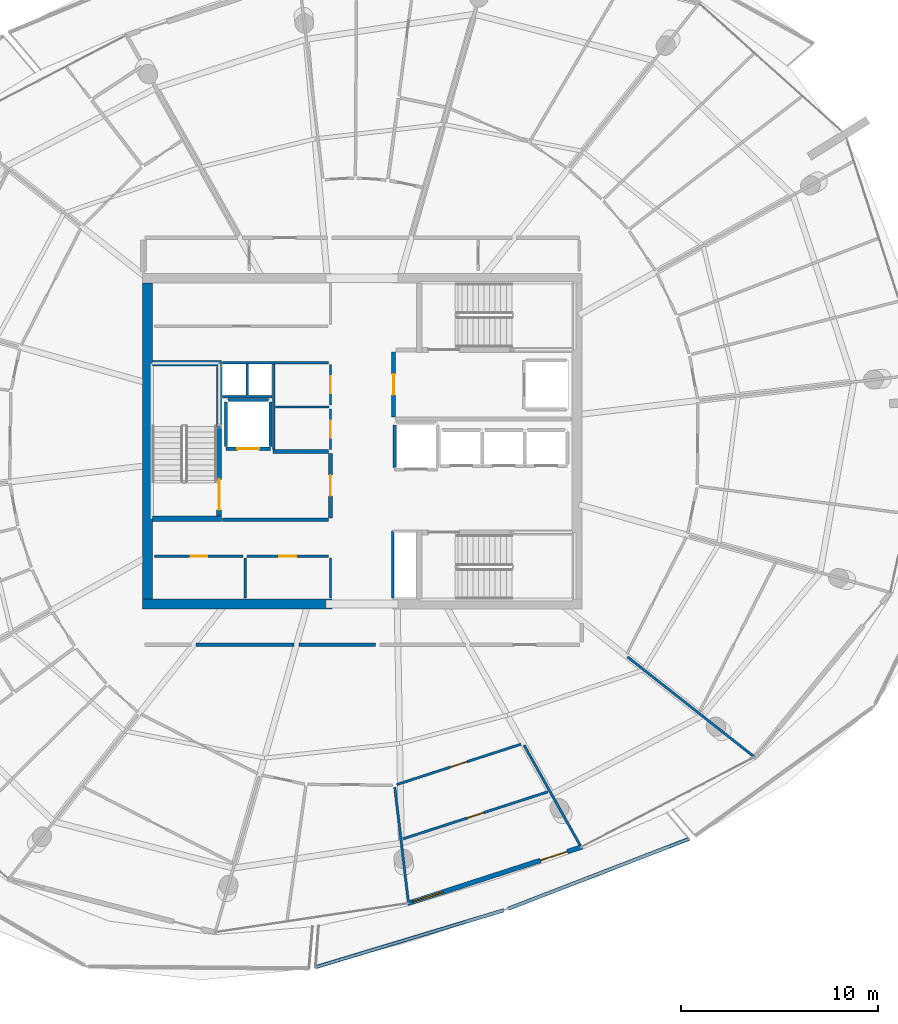
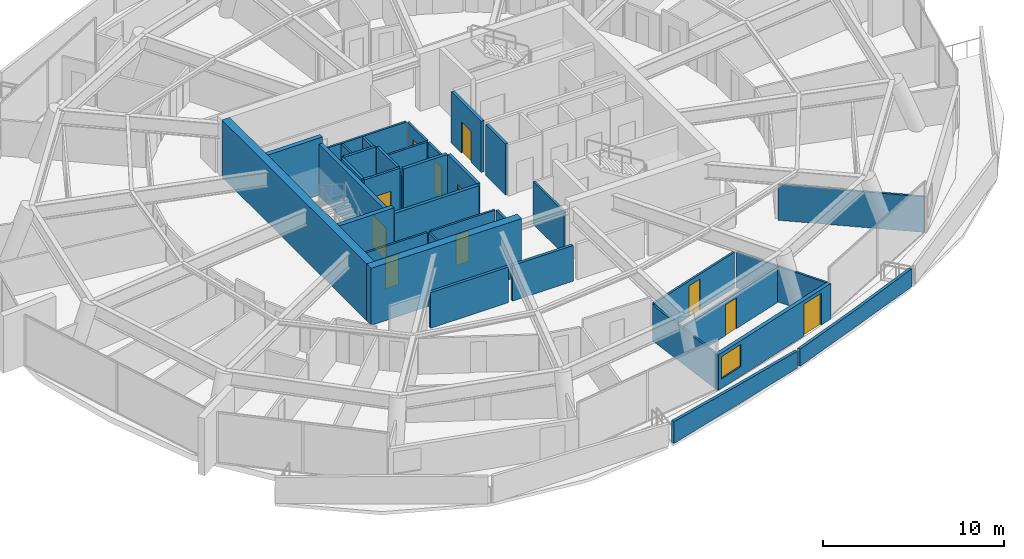
# One storey, part 17 of 27: 36 walls, 11 doors, 1 window, 12 openings.
"""IFC4 building model written with IfcOpenShell, lengths in metres."""

from ifc_helpers import new_model, si_unit, direction, frame, frame_2d, origin, place, context, subcontext, project, spatial, polyline, rectangle, outline, extrude, material, layer, layer_set, type_object, element, fill, save


model = new_model("IFC4")

# Units and contexts
model_context = context("Model", 3, precision=1e-05, world=origin(), true_north=direction((0.0, 1.0)))
body_context = subcontext(model_context, "Body", "Model", "MODEL_VIEW")
ifc_project = project(units=[si_unit("LENGTHUNIT", "METRE"), si_unit("AREAUNIT", "SQUARE_METRE"), si_unit("VOLUMEUNIT", "CUBIC_METRE"), si_unit("PLANEANGLEUNIT", "RADIAN"), si_unit("MASSUNIT", "GRAM", prefix="KILO")], contexts=[model_context])

# Site, building, storey
site_placement = place(None, origin())
site = spatial("IfcSite", under=ifc_project, at=site_placement, CompositionType="ELEMENT")
building_placement = place(site_placement, origin())
building = spatial("IfcBuilding", under=site, at=building_placement, Name="Kazma Halo Residences", CompositionType="ELEMENT")
storey_placement = place(building_placement, frame((0.0, 0.0, 306.0)))
storey = spatial("IfcBuildingStorey", under=building, at=storey_placement, Name="L77", CompositionType="ELEMENT", Elevation=306.0)

# Walls
ifc_material_1 = material(Name="White Concrete C50/60 Balustrade", Category="concrete")
ifc_layer_1 = layer(ifc_material_1, 0.179931640625)
ifc_layer_set_1 = layer_set([ifc_layer_1], Name="White Concrete C50/60 Balustrade")
wall_type_1 = type_object("IfcWallType", Name="WL-BAL-WAVE-180", PredefinedType="PARAPET", material=ifc_layer_set_1)
wall_1_placement = place(storey_placement, frame((46.0673828125, 15.364501953125, 0.0), z_axis=(0.0, 0.0, 1.0), x_axis=(0.957206211474, 0.289406753058, 0.0)))
element("IfcWall", 1, at=wall_1_placement, inside=storey, type_object=wall_type_1, Name="L77 white wave balustrade wall SSE.1", PredefinedType="PARAPET", context=body_context, shape_type="SweptSolid", body=[
    extrude(outline(polyline([(0.0, 0.0), (9.950927734375, 0.0), (9.950927734375, 1.14794921875), (4.9755859375, 1.283935546875), (0.0, 1.48291015625), (0.0, 0.0)])), frame((0.0, 0.08984375, 0.0), z_axis=(0.0, -1.0, 0.0), x_axis=(1.0, 0.0, 0.0)), (0.0, 0.0, 1.0), 0.179931640625),
])
wall_2_placement = place(storey_placement, frame((55.8193359375, 18.322509765625, 0.0), z_axis=(0.0, 0.0, 1.0), x_axis=(0.932706985139, 0.360635106268, 0.0)))
element("IfcWall", 2, at=wall_2_placement, inside=storey, type_object=wall_type_1, Name="L77 white wave balustrade wall SSE.2", PredefinedType="PARAPET", context=body_context, shape_type="SweptSolid", body=[
    extrude(outline(polyline([(0.0, 0.0), (9.826171875, 0.0), (9.826416015625, 1.22412109375), (4.9130859375, 1.126953125), (0.0, 1.14794921875), (0.0, 0.0)])), frame((0.0, 0.08984375, 0.0), z_axis=(0.0, -1.0, 0.0), x_axis=(1.0, 0.0, 0.0)), (0.0, 0.0, 1.0), 0.179931640625),
])
ifc_material_2 = material(Name="Concrete C60/75", Category="concrete")
ifc_layer_2 = layer(ifc_material_2, 0.5)
ifc_layer_set_2 = layer_set([ifc_layer_2], Name="Concrete C60/75")
wall_type_2 = type_object("IfcWallType", Name="WL-CORE-500", PredefinedType="SHEAR", material=ifc_layer_set_2)
wall_3_placement = place(storey_placement, frame((37.300048828125, 33.75, 0.0), z_axis=(0.0, 0.0, 1.0), x_axis=(1.0, 0.0, 0.0)))
element("IfcWall", 3, at=wall_3_placement, inside=storey, type_object=wall_type_2, Name="L77 central core shear wall SW", PredefinedType="SHEAR", context=body_context, shape_type="SweptSolid", body=[
    extrude(rectangle(XDim=9.599853515625, YDim=0.5, at=frame_2d((4.7998046875, 0.0))), origin(), (0.0, 0.0, 1.0), 3.85009765625),
])
wall_4_placement = place(storey_placement, frame((37.550048828125, 34.0, 0.0), z_axis=(0.0, 0.0, 1.0), x_axis=(0.0, 1.0, 0.0)))
element("IfcWall", 4, at=wall_4_placement, inside=storey, type_object=wall_type_2, Name="L77 central core shear wall W", PredefinedType="SHEAR", context=body_context, shape_type="SweptSolid", body=[
    extrude(rectangle(XDim=16.0, YDim=0.5, at=frame_2d((8.0, 0.0))), origin(), (0.0, 0.0, 1.0), 3.85009765625),
])
ifc_layer_3 = layer(ifc_material_2, 0.280029296875)
ifc_layer_set_3 = layer_set([ifc_layer_3], Name="Concrete C60/75")
wall_type_3 = type_object("IfcWallType", Name="WL-CORE-ST-280", PredefinedType="SHEAR", material=ifc_layer_set_3)
for number, where, z_axis, x_axis, name in (
    (5, (37.800048828125, 38.06005859375, 0.0), (0.0, 0.0, 1.0), (1.0, 0.0, 0.0), "L77 stairwell bearing wall ST01-S"),
    (6, (37.800048828125, 45.93994140625, 0.0), (0.0, 0.0, 1.0), (1.0, 0.0, 0.0), "L77 stairwell bearing wall ST01-N"),
):
    element("IfcWall", number, at=place(storey_placement, frame(where, z_axis=z_axis, x_axis=x_axis)), inside=storey, type_object=wall_type_3, Name=name, PredefinedType="SHEAR", context=body_context, shape_type="SweptSolid", body=[
        extrude(rectangle(XDim=3.5, YDim=0.280029296875, at=frame_2d((1.75, 0.0))), origin(), (0.0, 0.0, 1.0), 3.85009765625),
    ])
ifc_material_3 = material(Name="Acoustic Twin-Stud Gypsum")
ifc_layer_4 = layer(ifc_material_3, 0.179931640625)
ifc_layer_set_4 = layer_set([ifc_layer_4], Name="Acoustic Twin-Stud Gypsum")
wall_type_4 = type_object("IfcWallType", Name="WL-DEM-180", PredefinedType="PARTITIONING", material=ifc_layer_set_4)
wall_5_placement = place(storey_placement, frame((40.0, 31.699951171875, 0.0), z_axis=(0.0, 0.0, 1.0), x_axis=(1.0, 0.0, 0.0)))
element("IfcWall", 7, at=wall_5_placement, inside=storey, type_object=wall_type_4, Name="L77 Apartment 2 inner wall 9", PredefinedType="PARTITIONING", context=body_context, shape_type="SweptSolid", body=[
    extrude(rectangle(XDim=4.97509765625, YDim=0.179931640625, at=frame_2d((2.487548828125, 0.0))), origin(), (0.0, 0.0, 1.0), 2.406982421875),
])
wall_6_placement = place(storey_placement, frame((45.215087890625, 31.699951171875, 0.0), z_axis=(0.0, 0.0, 1.0), x_axis=(1.0, 0.0, 0.0)))
element("IfcWall", 8, at=wall_6_placement, inside=storey, type_object=wall_type_4, Name="L77 Apartment 2 inner wall 10", PredefinedType="PARTITIONING", context=body_context, shape_type="SweptSolid", body=[
    extrude(rectangle(XDim=3.884033203125, YDim=0.179931640625, at=frame_2d((1.94189453125, 0.0))), origin(), (0.0, 0.0, 1.0), 2.406982421875),
])

# Wall, openings, door, window
ifc_material_4 = material(Name="Insulated Pale-Metal Composite Wall")
ifc_layer_5 = layer(ifc_material_4, 0.239990234375)
ifc_layer_set_5 = layer_set([ifc_layer_5], Name="Insulated Pale-Metal Composite Wall")
wall_type_5 = type_object("IfcWallType", Name="WL-EXT-HOST-240", PredefinedType="SOLIDWALL", material=ifc_layer_set_5)
wall_7_placement = place(storey_placement, frame((50.7216796875, 18.58642578125, 0.0), z_axis=(0.0, 0.0, 1.0), x_axis=(0.951057039462, 0.309015384228, 0.0)))
wall_7 = element("IfcWall", 9, at=wall_7_placement, inside=storey, type_object=wall_type_5, Name="L77 exterior terrace-access wall B12", PredefinedType="SOLIDWALL", context=body_context, shape_type="SweptSolid", body=[
    extrude(rectangle(XDim=9.29345703125, YDim=0.239990234375, at=frame_2d((4.646728515625, 0.0))), origin(), (0.0, 0.0, 1.0), 2.39990234375),
])
opening_1_placement = place(wall_7_placement, frame((7.0732421875, 0.0, 0.0)))
opening_1 = element("IfcOpeningElement", 10, at=opening_1_placement, cuts=wall_7, Name="Opening DTR-1600", PredefinedType="OPENING", context=body_context, shape_type="SweptSolid", body=[
    extrude(rectangle(XDim=1.449951171875, YDim=2.14990234375, at=frame_2d((0.72509765625, 1.074951171875))), frame((0.0, 0.1298828125, 0.0), z_axis=(0.0, -1.0, 0.0), x_axis=(1.0, 0.0, 0.0)), (0.0, 0.0, 1.0), 0.260009765625),
])
opening_2_placement = place(wall_7_placement, frame((0.280029296875, 0.0, 0.64990234375)))
opening_2 = element("IfcOpeningElement", 11, at=opening_2_placement, cuts=wall_7, Name="Opening W-1800", PredefinedType="OPENING", context=body_context, shape_type="SweptSolid", body=[
    extrude(rectangle(XDim=1.60009765625, YDim=1.5, at=frame_2d((0.800048828125, 0.75))), frame((0.0, 0.1298828125, 0.0), z_axis=(0.0, -1.0, 0.0), x_axis=(1.0, 0.0, 0.0)), (0.0, 0.0, 1.0), 0.260009765625),
])
ifc_material_5 = material(Name="Aluminium AW-6063 T6 Double-Glazed Terrace Door", Category="aluminium")
door_type_1 = type_object("IfcDoorType", Name="DR-EXT-TERR-1600", OperationType="NOTDEFINED", PredefinedType="DOOR", material=ifc_material_5)
door_1_placement = place(opening_1_placement, origin())
door_1 = element("IfcDoor", 12, at=door_1_placement, inside=storey, type_object=door_type_1, Name="L77 B12 balcony terrace door", OperationType="DOUBLE_DOOR_SLIDING", OverallHeight=2.14990234375, OverallWidth=1.449951171875, PredefinedType="DOOR", context=body_context, shape_type="SweptSolid", body=[
    extrude(rectangle(XDim=1.449951171875, YDim=2.14990234375, at=frame_2d((0.72509765625, 1.074951171875))), frame((0.0, 0.02490234375, 0.0), z_axis=(0.0, -1.0, 0.0), x_axis=(1.0, 0.0, 0.0)), (0.0, 0.0, 1.0), 0.050048828125),
])
fill(opening_1, door_1)
ifc_material_6 = material(Name="Clear Triple-Silver Low-E Glass in Aluminium AW-6063 T6 Frame", Category="aluminium")
window_type = type_object("IfcWindowType", Name="WIN-RES-1800", PartitioningType="DOUBLE_PANEL_VERTICAL", PredefinedType="WINDOW", material=ifc_material_6)
window_placement = place(opening_2_placement, origin())
window = element("IfcWindow", 13, at=window_placement, inside=storey, type_object=window_type, Name="L77 B12 apartment window", OverallHeight=1.5, OverallWidth=1.60009765625, PartitioningType="SINGLE_PANEL", PredefinedType="WINDOW", context=body_context, shape_type="SweptSolid", body=[
    extrude(rectangle(XDim=1.60009765625, YDim=1.5, at=frame_2d((0.800048828125, 0.75))), frame((0.0, 0.030029296875, 0.0), z_axis=(0.0, -1.0, 0.0), x_axis=(1.0, 0.0, 0.0)), (0.0, 0.0, 1.0), 0.06005859375),
])
fill(opening_2, window)

# Wall, opening, door
ifc_material_7 = material(Name="Fire-Rated Blockwork Masonry", Category="masonry")
ifc_layer_6 = layer(ifc_material_7, 0.199951171875)
ifc_layer_set_6 = layer_set([ifc_layer_6], Name="Fire-Rated Blockwork Masonry")
wall_type_6 = type_object("IfcWallType", Name="WL-FLB-200", PredefinedType="PARTITIONING", material=ifc_layer_set_6)
wall_8_placement = place(storey_placement, frame((43.780029296875, 41.6201171875, 0.0), z_axis=(0.0, 0.0, 1.0), x_axis=(-1.0, 0.0, 0.0)))
wall_8 = element("IfcWall", 14, at=wall_8_placement, inside=storey, type_object=wall_type_6, Name="L77 lift shaft FL-01 front wall", PredefinedType="PARTITIONING", context=body_context, shape_type="SweptSolid", body=[
    extrude(rectangle(XDim=2.260009765625, YDim=0.159912109375, at=frame_2d((1.1298828125, 0.0))), origin(), (0.0, 0.0, 1.0), 3.449951171875),
])
opening_3_placement = place(wall_8_placement, frame((0.580078125, 0.0, 0.0)))
opening_3 = element("IfcOpeningElement", 15, at=opening_3_placement, cuts=wall_8, Name="Opening LD-FL-01", PredefinedType="OPENING", context=body_context, shape_type="SweptSolid", body=[
    extrude(rectangle(XDim=1.10009765625, YDim=2.10009765625, at=frame_2d((0.550048828125, 1.050048828125))), frame((0.0, 0.08984375, 0.0), z_axis=(0.0, -1.0, 0.0), x_axis=(1.0, 0.0, 0.0)), (0.0, 0.0, 1.0), 0.179931640625),
])
ifc_material_8 = material(Name="Stainless Steel Fire-Rated", Category="steel")
door_type_2 = type_object("IfcDoorType", Name="DR-LIFT-SLD-1100", OperationType="DOUBLE_DOOR_SLIDING", PredefinedType="DOOR", material=ifc_material_8)
door_2_placement = place(opening_3_placement, origin())
door_2 = element("IfcDoor", 16, at=door_2_placement, inside=storey, type_object=door_type_2, Name="L77 lift FL-01 sliding landing door", OperationType="DOUBLE_DOOR_SLIDING", OverallHeight=2.10009765625, OverallWidth=1.10009765625, PredefinedType="DOOR", context=body_context, shape_type="SweptSolid", body=[
    extrude(rectangle(XDim=1.10009765625, YDim=2.10009765625, at=frame_2d((0.550048828125, 1.050048828125))), frame((0.0, 0.02490234375, 0.0), z_axis=(0.0, -1.0, 0.0), x_axis=(1.0, 0.0, 0.0)), (0.0, 0.0, 1.0), 0.050048828125),
])
fill(opening_3, door_2)

# Walls
for number, where, z_axis, x_axis, name in (
    (17, (43.780029296875, 41.719970703125, 0.0), (0.0, 0.0, 1.0), (0.0, 1.0, 0.0), "L77 lift shaft FL-01 side wall E"),
    (18, (41.52001953125, 41.719970703125, 0.0), (0.0, 0.0, 1.0), (0.0, 1.0, 0.0), "L77 lift shaft FL-01 side wall W"),
):
    element("IfcWall", number, at=place(storey_placement, frame(where, z_axis=z_axis, x_axis=x_axis)), inside=storey, type_object=wall_type_6, Name=name, PredefinedType="PARTITIONING", context=body_context, shape_type="SweptSolid", body=[
        extrude(rectangle(XDim=2.260009765625, YDim=0.159912109375, at=frame_2d((1.1298828125, 0.0))), origin(), (0.0, 0.0, 1.0), 3.449951171875),
    ])
wall_9_placement = place(storey_placement, frame((41.6201171875, 44.080078125, 0.0), z_axis=(0.0, 0.0, 1.0), x_axis=(1.0, 0.0, 0.0)))
element("IfcWall", 19, at=wall_9_placement, inside=storey, type_object=wall_type_6, Name="L77 lift shaft FL-01 side wall N", PredefinedType="PARTITIONING", context=body_context, shape_type="SweptSolid", body=[
    extrude(rectangle(XDim=2.059814453125, YDim=0.159912109375, at=frame_2d((1.02978515625, 0.0))), origin(), (0.0, 0.0, 1.0), 3.449951171875),
])
wall_10_placement = place(storey_placement, frame((50.070068359375, 40.669921875, 0.0), z_axis=(0.0, 0.0, 1.0), x_axis=(0.0, 1.0, 0.0)))
element("IfcWall", 20, at=wall_10_placement, inside=storey, type_object=wall_type_6, Name="L77 lift shaft SV-01 side wall W", PredefinedType="PARTITIONING", context=body_context, shape_type="SweptSolid", body=[
    extrude(rectangle(XDim=2.16015625, YDim=0.159912109375, at=frame_2d((1.080078125, 0.0))), origin(), (0.0, 0.0, 1.0), 3.449951171875),
])
wall_11_placement = place(storey_placement, frame((41.35009765625, 38.02001953125, 0.0), z_axis=(0.0, 0.0, 1.0), x_axis=(1.0, 0.0, 0.0)))
element("IfcWall", 21, at=wall_11_placement, inside=storey, type_object=wall_type_6, Name="L77 west firefighting lobby south smoke wall", PredefinedType="PARTITIONING", context=body_context, shape_type="SweptSolid", body=[
    extrude(rectangle(XDim=5.369873046875, YDim=0.199951171875, at=frame_2d((2.68505859375, 0.0))), origin(), (0.0, 0.0, 1.0), 3.449951171875),
])
wall_12_placement = place(storey_placement, frame((43.919921875, 41.47998046875, 0.0), z_axis=(0.0, 0.0, 1.0), x_axis=(1.0, 0.0, 0.0)))
element("IfcWall", 22, at=wall_12_placement, inside=storey, type_object=wall_type_6, Name="L77 west firefighting lobby north smoke wall", PredefinedType="PARTITIONING", context=body_context, shape_type="SweptSolid", body=[
    extrude(rectangle(XDim=2.800048828125, YDim=0.199951171875, at=frame_2d((1.39990234375, 0.0))), origin(), (0.0, 0.0, 1.0), 3.449951171875),
])

# Wall, opening, door
wall_13_placement = place(storey_placement, frame((46.820068359375, 38.1201171875, 0.0), z_axis=(0.0, 0.0, 1.0), x_axis=(0.0, 1.0, 0.0)))
wall_13 = element("IfcWall", 23, at=wall_13_placement, inside=storey, type_object=wall_type_6, Name="L77 west firefighting lobby smoke wall", PredefinedType="PARTITIONING", context=body_context, shape_type="SweptSolid", body=[
    extrude(rectangle(XDim=3.259765625, YDim=0.199951171875, at=frame_2d((1.6298828125, 0.0))), origin(), (0.0, 0.0, 1.0), 3.449951171875),
])
opening_4_placement = place(wall_13_placement, frame((1.10498046875, 0.0, 0.0)))
opening_4 = element("IfcOpeningElement", 24, at=opening_4_placement, cuts=wall_13, Name="Opening D-FLW", PredefinedType="OPENING", context=body_context, shape_type="SweptSolid", body=[
    extrude(rectangle(XDim=1.050048828125, YDim=2.10009765625, at=frame_2d((0.52490234375, 1.050048828125))), frame((0.0, 0.10986328125, 0.0), z_axis=(0.0, -1.0, 0.0), x_axis=(1.0, 0.0, 0.0)), (0.0, 0.0, 1.0), 0.219970703125),
])
ifc_material_9 = material(Name="Fire-Rated Steel Leaf", Category="steel")
door_type_3 = type_object("IfcDoorType", Name="DR-FD90-1050", OperationType="NOTDEFINED", PredefinedType="DOOR", material=ifc_material_9)
door_3_placement = place(opening_4_placement, origin())
door_3 = element("IfcDoor", 25, at=door_3_placement, inside=storey, type_object=door_type_3, Name="L77 west firefighting lobby smoke door", OperationType="SINGLE_SWING_RIGHT", OverallHeight=2.10009765625, OverallWidth=1.050048828125, PredefinedType="DOOR", context=body_context, shape_type="SweptSolid", body=[
    extrude(rectangle(XDim=1.050048828125, YDim=2.10009765625, at=frame_2d((0.52490234375, 1.050048828125))), frame((0.0, 0.02490234375, 0.0), z_axis=(0.0, -1.0, 0.0), x_axis=(1.0, 0.0, 0.0)), (0.0, 0.0, 1.0), 0.050048828125),
])
fill(opening_4, door_3)

wall_14_placement = place(storey_placement, frame((50.02001953125, 43.219970703125, 0.0), z_axis=(0.0, 0.0, 1.0), x_axis=(0.0, 1.0, 0.0)))
wall_14 = element("IfcWall", 26, at=wall_14_placement, inside=storey, type_object=wall_type_6, Name="L77 east firefighting lobby smoke wall", PredefinedType="PARTITIONING", context=body_context, shape_type="SweptSolid", body=[
    extrude(rectangle(XDim=3.300048828125, YDim=0.199951171875, at=frame_2d((1.64990234375, 0.0))), origin(), (0.0, 0.0, 1.0), 3.449951171875),
])
opening_5_placement = place(wall_14_placement, frame((1.125, 0.0, 0.0)))
opening_5 = element("IfcOpeningElement", 27, at=opening_5_placement, cuts=wall_14, Name="Opening D-FLE", PredefinedType="OPENING", context=body_context, shape_type="SweptSolid", body=[
    extrude(rectangle(XDim=1.050048828125, YDim=2.10009765625, at=frame_2d((0.52490234375, 1.050048828125))), frame((0.0, 0.10986328125, 0.0), z_axis=(0.0, -1.0, 0.0), x_axis=(1.0, 0.0, 0.0)), (0.0, 0.0, 1.0), 0.219970703125),
])
door_4_placement = place(opening_5_placement, origin())
door_4 = element("IfcDoor", 28, at=door_4_placement, inside=storey, type_object=door_type_3, Name="L77 east firefighting lobby smoke door", OperationType="SINGLE_SWING_LEFT", OverallHeight=2.10009765625, OverallWidth=1.050048828125, PredefinedType="DOOR", context=body_context, shape_type="SweptSolid", body=[
    extrude(rectangle(XDim=1.050048828125, YDim=2.10009765625, at=frame_2d((0.52490234375, 1.050048828125))), frame((0.0, 0.02490234375, 0.0), z_axis=(0.0, -1.0, 0.0), x_axis=(1.0, 0.0, 0.0)), (0.0, 0.0, 1.0), 0.050048828125),
])
fill(opening_5, door_4)

# Walls
ifc_material_10 = material(Name="Gypsum Plasterboard Partition")
ifc_layer_7 = layer(ifc_material_10, 0.125)
ifc_layer_set_7 = layer_set([ifc_layer_7], Name="Gypsum Plasterboard Partition")
wall_type_7 = type_object("IfcWallType", Name="WL-PART-125", PredefinedType="PARTITIONING", material=ifc_layer_set_7)
for number, where, z_axis, x_axis, name in (
    (29, (46.820068359375, 34.050048828125, 0.0), (0.0, 0.0, 1.0), (0.0, 1.0, 0.0), "L77 reclaimed south east wall"),
    (30, (42.5, 34.050048828125, 0.0), (0.0, 0.0, 1.0), (0.0, 1.0, 0.0), "L77 reclaimed south divider wall"),
):
    element("IfcWall", number, at=place(storey_placement, frame(where, z_axis=z_axis, x_axis=x_axis)), inside=storey, type_object=wall_type_7, Name=name, PredefinedType="PARTITIONING", context=body_context, shape_type="SweptSolid", body=[
        extrude(rectangle(XDim=2.030029296875, YDim=0.125, at=frame_2d((1.01513671875, 0.0))), origin(), (0.0, 0.0, 1.0), 2.889892578125),
    ])

# Wall, opening, door
wall_15_placement = place(storey_placement, frame((37.919921875, 36.179931640625, 0.0), z_axis=(0.0, 0.0, 1.0), x_axis=(1.0, 0.0, 0.0)))
wall_15 = element("IfcWall", 31, at=wall_15_placement, inside=storey, type_object=wall_type_7, Name="L77 reclaimed south W front wall", PredefinedType="PARTITIONING", context=body_context, shape_type="SweptSolid", body=[
    extrude(rectangle(XDim=4.47998046875, YDim=0.125, at=frame_2d((2.239990234375, 0.0))), origin(), (0.0, 0.0, 1.0), 2.889892578125),
])
opening_6_placement = place(wall_15_placement, frame((1.81494140625, 0.0, 0.0)))
opening_6 = element("IfcOpeningElement", 32, at=opening_6_placement, cuts=wall_15, Name="Opening DS-850", PredefinedType="OPENING", context=body_context, shape_type="SweptSolid", body=[
    extrude(rectangle(XDim=0.85009765625, YDim=2.06005859375, at=frame_2d((0.425048828125, 1.030029296875))), frame((0.0, 0.072509765625, 0.0), z_axis=(0.0, -1.0, 0.0), x_axis=(1.0, 0.0, 0.0)), (0.0, 0.0, 1.0), 0.14501953125),
])
ifc_material_11 = material(Name="Painted Steel Access Leaf", Category="steel")
door_type_4 = type_object("IfcDoorType", Name="DR-SVC-850", OperationType="NOTDEFINED", PredefinedType="DOOR", material=ifc_material_11)
door_5_placement = place(opening_6_placement, origin())
door_5 = element("IfcDoor", 33, at=door_5_placement, inside=storey, type_object=door_type_4, Name="L77 reclaimed south W door", OperationType="SINGLE_SWING_RIGHT", OverallHeight=2.06005859375, OverallWidth=0.85009765625, PredefinedType="DOOR", context=body_context, shape_type="SweptSolid", body=[
    extrude(rectangle(XDim=0.85009765625, YDim=2.06005859375, at=frame_2d((0.425048828125, 1.030029296875))), frame((0.0, 0.02490234375, 0.0), z_axis=(0.0, -1.0, 0.0), x_axis=(1.0, 0.0, 0.0)), (0.0, 0.0, 1.0), 0.050048828125),
])
fill(opening_6, door_5)

wall_16_placement = place(storey_placement, frame((42.60009765625, 36.179931640625, 0.0), z_axis=(0.0, 0.0, 1.0), x_axis=(1.0, 0.0, 0.0)))
wall_16 = element("IfcWall", 34, at=wall_16_placement, inside=storey, type_object=wall_type_7, Name="L77 reclaimed south E front wall", PredefinedType="PARTITIONING", context=body_context, shape_type="SweptSolid", body=[
    extrude(rectangle(XDim=4.119873046875, YDim=0.125, at=frame_2d((2.06005859375, 0.0))), origin(), (0.0, 0.0, 1.0), 2.889892578125),
])
opening_7_placement = place(wall_16_placement, frame((1.635009765625, 0.0, 0.0)))
opening_7 = element("IfcOpeningElement", 35, at=opening_7_placement, cuts=wall_16, Name="Opening DS-850", PredefinedType="OPENING", context=body_context, shape_type="SweptSolid", body=[
    extrude(rectangle(XDim=0.85009765625, YDim=2.06005859375, at=frame_2d((0.425048828125, 1.030029296875))), frame((0.0, 0.072509765625, 0.0), z_axis=(0.0, -1.0, 0.0), x_axis=(1.0, 0.0, 0.0)), (0.0, 0.0, 1.0), 0.14501953125),
])
door_6_placement = place(opening_7_placement, origin())
door_6 = element("IfcDoor", 36, at=door_6_placement, inside=storey, type_object=door_type_4, Name="L77 reclaimed south E door", OperationType="SINGLE_SWING_LEFT", OverallHeight=2.06005859375, OverallWidth=0.85009765625, PredefinedType="DOOR", context=body_context, shape_type="SweptSolid", body=[
    extrude(rectangle(XDim=0.85009765625, YDim=2.06005859375, at=frame_2d((0.425048828125, 1.030029296875))), frame((0.0, 0.02490234375, 0.0), z_axis=(0.0, -1.0, 0.0), x_axis=(1.0, 0.0, 0.0)), (0.0, 0.0, 1.0), 0.050048828125),
])
fill(opening_7, door_6)

# Walls
wall_17_placement = place(storey_placement, frame((41.360107421875, 45.97998046875, 0.0), z_axis=(0.0, 0.0, 1.0), x_axis=(1.0, 0.0, 0.0)))
element("IfcWall", 37, at=wall_17_placement, inside=storey, type_object=wall_type_7, Name="L77 core north riser wall", PredefinedType="PARTITIONING", context=body_context, shape_type="SweptSolid", body=[
    extrude(rectangle(XDim=5.35986328125, YDim=0.125, at=frame_2d((2.679931640625, 0.0))), origin(), (0.0, 0.0, 1.0), 2.889892578125),
])
wall_18_placement = place(storey_placement, frame((41.360107421875, 44.260009765625, 0.0), z_axis=(0.0, 0.0, 1.0), x_axis=(1.0, 0.0, 0.0)))
element("IfcWall", 38, at=wall_18_placement, inside=storey, type_object=wall_type_7, Name="L77 core riser south wall", PredefinedType="PARTITIONING", context=body_context, shape_type="SweptSolid", body=[
    extrude(rectangle(XDim=2.5, YDim=0.125, at=frame_2d((1.25, 0.0))), origin(), (0.0, 0.0, 1.0), 2.889892578125),
])
wall_19_placement = place(storey_placement, frame((42.60009765625, 44.35009765625, 0.0), z_axis=(0.0, 0.0, 1.0), x_axis=(0.0, 1.0, 0.0)))
element("IfcWall", 39, at=wall_19_placement, inside=storey, type_object=wall_type_7, Name="L77 core riser divider wall", PredefinedType="PARTITIONING", context=body_context, shape_type="SweptSolid", body=[
    extrude(rectangle(XDim=1.5498046875, YDim=0.125, at=frame_2d((0.77490234375, 0.0))), origin(), (0.0, 0.0, 1.0), 2.889892578125),
])
wall_20_placement = place(storey_placement, frame((49.97998046875, 34.06005859375, 0.0), z_axis=(0.0, 0.0, 1.0), x_axis=(0.0, 1.0, 0.0)))
element("IfcWall", 40, at=wall_20_placement, inside=storey, type_object=wall_type_7, Name="L77 standpipe riser wall", PredefinedType="PARTITIONING", context=body_context, shape_type="SweptSolid", body=[
    extrude(rectangle(XDim=3.39990234375, YDim=0.125, at=frame_2d((1.699951171875, 0.0))), origin(), (0.0, 0.0, 1.0), 2.889892578125),
])
wall_21_placement = place(storey_placement, frame((43.949951171875, 41.580078125, 0.0), z_axis=(0.0, 0.0, 1.0), x_axis=(0.0, 1.0, 0.0)))
element("IfcWall", 41, at=wall_21_placement, inside=storey, type_object=wall_type_7, Name="L77 core service west wall", PredefinedType="PARTITIONING", context=body_context, shape_type="SweptSolid", body=[
    extrude(rectangle(XDim=4.31982421875, YDim=0.125, at=frame_2d((2.159912109375, 0.0))), origin(), (0.0, 0.0, 1.0), 2.889892578125),
])
wall_22_placement = place(storey_placement, frame((44.030029296875, 43.72998046875, 0.0), z_axis=(0.0, 0.0, 1.0), x_axis=(1.0, 0.0, 0.0)))
element("IfcWall", 42, at=wall_22_placement, inside=storey, type_object=wall_type_7, Name="L77 switch/IDF divider", PredefinedType="PARTITIONING", context=body_context, shape_type="SweptSolid", body=[
    extrude(rectangle(XDim=2.7099609375, YDim=0.125, at=frame_2d((1.35498046875, 0.0))), origin(), (0.0, 0.0, 1.0), 2.889892578125),
])

# Wall, opening, door
wall_23_placement = place(storey_placement, frame((46.820068359375, 41.580078125, 0.0), z_axis=(0.0, 0.0, 1.0), x_axis=(0.0, 1.0, 0.0)))
wall_23 = element("IfcWall", 43, at=wall_23_placement, inside=storey, type_object=wall_type_7, Name="L77 electrical switch room east wall", PredefinedType="PARTITIONING", context=body_context, shape_type="SweptSolid", body=[
    extrude(rectangle(XDim=2.0498046875, YDim=0.125, at=frame_2d((1.02490234375, 0.0))), origin(), (0.0, 0.0, 1.0), 2.889892578125),
])
opening_8_placement = place(wall_23_placement, frame((0.60009765625, 0.0, 0.0)))
opening_8 = element("IfcOpeningElement", 44, at=opening_8_placement, cuts=wall_23, Name="Opening DS-850", PredefinedType="OPENING", context=body_context, shape_type="SweptSolid", body=[
    extrude(rectangle(XDim=0.85009765625, YDim=2.06005859375, at=frame_2d((0.425048828125, 1.030029296875))), frame((0.0, 0.072509765625, 0.0), z_axis=(0.0, -1.0, 0.0), x_axis=(1.0, 0.0, 0.0)), (0.0, 0.0, 1.0), 0.14501953125),
])
door_7_placement = place(opening_8_placement, origin())
door_7 = element("IfcDoor", 45, at=door_7_placement, inside=storey, type_object=door_type_4, Name="L77 electrical switch room door", OperationType="SINGLE_SWING_RIGHT", OverallHeight=2.06005859375, OverallWidth=0.85009765625, PredefinedType="DOOR", context=body_context, shape_type="SweptSolid", body=[
    extrude(rectangle(XDim=0.85009765625, YDim=2.06005859375, at=frame_2d((0.425048828125, 1.030029296875))), frame((0.0, 0.02490234375, 0.0), z_axis=(0.0, -1.0, 0.0), x_axis=(1.0, 0.0, 0.0)), (0.0, 0.0, 1.0), 0.050048828125),
])
fill(opening_8, door_7)

wall_24_placement = place(storey_placement, frame((46.820068359375, 43.830078125, 0.0), z_axis=(0.0, 0.0, 1.0), x_axis=(0.0, 1.0, 0.0)))
wall_24 = element("IfcWall", 46, at=wall_24_placement, inside=storey, type_object=wall_type_7, Name="L77 telecom IDF room east wall", PredefinedType="PARTITIONING", context=body_context, shape_type="SweptSolid", body=[
    extrude(rectangle(XDim=2.0498046875, YDim=0.125, at=frame_2d((1.02490234375, 0.0))), origin(), (0.0, 0.0, 1.0), 2.889892578125),
])
opening_9_placement = place(wall_24_placement, frame((0.60009765625, 0.0, 0.0)))
opening_9 = element("IfcOpeningElement", 47, at=opening_9_placement, cuts=wall_24, Name="Opening DS-850", PredefinedType="OPENING", context=body_context, shape_type="SweptSolid", body=[
    extrude(rectangle(XDim=0.85009765625, YDim=2.06005859375, at=frame_2d((0.425048828125, 1.030029296875))), frame((0.0, 0.072509765625, 0.0), z_axis=(0.0, -1.0, 0.0), x_axis=(1.0, 0.0, 0.0)), (0.0, 0.0, 1.0), 0.14501953125),
])
door_8_placement = place(opening_9_placement, origin())
door_8 = element("IfcDoor", 48, at=door_8_placement, inside=storey, type_object=door_type_4, Name="L77 telecom IDF room door", OperationType="SINGLE_SWING_LEFT", OverallHeight=2.06005859375, OverallWidth=0.85009765625, PredefinedType="DOOR", context=body_context, shape_type="SweptSolid", body=[
    extrude(rectangle(XDim=0.85009765625, YDim=2.06005859375, at=frame_2d((0.425048828125, 1.030029296875))), frame((0.0, 0.02490234375, 0.0), z_axis=(0.0, -1.0, 0.0), x_axis=(1.0, 0.0, 0.0)), (0.0, 0.0, 1.0), 0.050048828125),
])
fill(opening_9, door_8)

# Walls
wall_25_placement = place(storey_placement, frame((50.07421875, 24.476318359375, 0.0), z_axis=(0.0, 0.0, 1.0), x_axis=(0.117502536359, -0.993072582417, 0.0)))
element("IfcWall", 49, at=wall_25_placement, inside=storey, type_object=wall_type_7, Name="L77 Apartment 2 radial partition 11", PredefinedType="PARTITIONING", context=body_context, shape_type="SweptSolid", body=[
    extrude(rectangle(XDim=5.890380859375, YDim=0.125, at=frame_2d((2.9453125, 0.0))), origin(), (0.0, 0.0, 1.0), 2.406982421875),
])
wall_26_placement = place(storey_placement, frame((56.622314453125, 26.60400390625, 0.0), z_axis=(0.0, 0.0, 1.0), x_axis=(0.488600801063, -0.872507453951, 0.0)))
element("IfcWall", 50, at=wall_26_placement, inside=storey, type_object=wall_type_7, Name="L77 Apartment 2 living radial partition 11", PredefinedType="PARTITIONING", context=body_context, shape_type="SweptSolid", body=[
    extrude(rectangle(XDim=5.790283203125, YDim=0.125, at=frame_2d((2.89501953125, 0.0))), origin(), (0.0, 0.0, 1.0), 2.406982421875),
])

# Wall, opening, door
wall_27_placement = place(storey_placement, frame((50.1669921875, 24.609619140625, 0.0), z_axis=(0.0, 0.0, 1.0), x_axis=(0.951054645086, 0.309022753306, 0.0)))
wall_27 = element("IfcWall", 51, at=wall_27_placement, inside=storey, type_object=wall_type_7, Name="L77 Apartment 2 Outer Study hall wall", PredefinedType="PARTITIONING", context=body_context, shape_type="SweptSolid", body=[
    extrude(rectangle(XDim=6.6259765625, YDim=0.125, at=frame_2d((3.31298828125, 0.0))), origin(), (0.0, 0.0, 1.0), 2.406982421875),
])
opening_10_placement = place(wall_27_placement, frame((2.863037109375, 0.0, 0.0)))
opening_10 = element("IfcOpeningElement", 52, at=opening_10_placement, cuts=wall_27, Name="Opening DI-950", PredefinedType="OPENING", context=body_context, shape_type="SweptSolid", body=[
    extrude(rectangle(XDim=0.89990234375, YDim=2.080078125, at=frame_2d((0.449951171875, 1.0400390625))), frame((0.0, 0.072509765625, 0.0), z_axis=(0.0, -1.0, 0.0), x_axis=(1.0, 0.0, 0.0)), (0.0, 0.0, 1.0), 0.14501953125),
])
ifc_material_12 = material(Name="Timber Veneer Flush Leaf", Category="wood")
door_type_5 = type_object("IfcDoorType", Name="DR-INT-950", OperationType="NOTDEFINED", PredefinedType="DOOR", material=ifc_material_12)
door_9_placement = place(opening_10_placement, origin())
door_9 = element("IfcDoor", 53, at=door_9_placement, inside=storey, type_object=door_type_5, Name="L77 Apartment 2 Outer Study door", OperationType="SINGLE_SWING_LEFT", OverallHeight=2.080078125, OverallWidth=0.89990234375, PredefinedType="DOOR", context=body_context, shape_type="SweptSolid", body=[
    extrude(rectangle(XDim=0.89990234375, YDim=2.080078125, at=frame_2d((0.449951171875, 1.0400390625))), frame((0.0, 0.02490234375, 0.0), z_axis=(0.0, -1.0, 0.0), x_axis=(1.0, 0.0, 0.0)), (0.0, 0.0, 1.0), 0.050048828125),
])
fill(opening_10, door_9)

wall_28_placement = place(storey_placement, frame((50.491943359375, 21.86279296875, 0.0), z_axis=(0.0, 0.0, 1.0), x_axis=(0.95105758268, 0.309013712359, 0.0)))
wall_28 = element("IfcWall", 54, at=wall_28_placement, inside=storey, type_object=wall_type_7, Name="L77 Apartment 2 Corner Bedroom divider wall", PredefinedType="PARTITIONING", context=body_context, shape_type="SweptSolid", body=[
    extrude(rectangle(XDim=7.70556640625, YDim=0.125, at=frame_2d((3.852783203125, 0.0))), origin(), (0.0, 0.0, 1.0), 2.406982421875),
])
opening_11_placement = place(wall_28_placement, frame((3.402587890625, 0.0, 0.0)))
opening_11 = element("IfcOpeningElement", 55, at=opening_11_placement, cuts=wall_28, Name="Opening DI-950", PredefinedType="OPENING", context=body_context, shape_type="SweptSolid", body=[
    extrude(rectangle(XDim=0.89990234375, YDim=2.080078125, at=frame_2d((0.449951171875, 1.0400390625))), frame((0.0, 0.072509765625, 0.0), z_axis=(0.0, -1.0, 0.0), x_axis=(1.0, 0.0, 0.0)), (0.0, 0.0, 1.0), 0.14501953125),
])
door_10_placement = place(opening_11_placement, origin())
door_10 = element("IfcDoor", 56, at=door_10_placement, inside=storey, type_object=door_type_5, Name="L77 Apartment 2 Corner Bedroom door", OperationType="SINGLE_SWING_RIGHT", OverallHeight=2.080078125, OverallWidth=0.89990234375, PredefinedType="DOOR", context=body_context, shape_type="SweptSolid", body=[
    extrude(rectangle(XDim=0.89990234375, YDim=2.080078125, at=frame_2d((0.449951171875, 1.0400390625))), frame((0.0, 0.02490234375, 0.0), z_axis=(0.0, -1.0, 0.0), x_axis=(1.0, 0.0, 0.0)), (0.0, 0.0, 1.0), 0.050048828125),
])
fill(opening_11, door_10)

# Wall
wall_29_placement = place(storey_placement, frame((61.857666015625, 31.075439453125, 0.0), z_axis=(0.0, 0.0, 1.0), x_axis=(0.785321699218, -0.619087900655, 0.0)))
element("IfcWall", 57, at=wall_29_placement, inside=storey, type_object=wall_type_7, Name="L77 Apartment 2 radial partition 13", PredefinedType="PARTITIONING", context=body_context, shape_type="SweptSolid", body=[
    extrude(rectangle(XDim=8.168701171875, YDim=0.125, at=frame_2d((4.08447265625, 0.0))), origin(), (0.0, 0.0, 1.0), 2.406982421875),
])

# Wall, opening, door
ifc_material_13 = material(Name="Concrete C50/60", Category="concrete")
ifc_layer_8 = layer(ifc_material_13, 0.25)
ifc_layer_set_8 = layer_set([ifc_layer_8], Name="Concrete C50/60")
wall_type_8 = type_object("IfcWallType", Name="WL-SHF-250", PredefinedType="SOLIDWALL", material=ifc_layer_set_8)
wall_30_placement = place(storey_placement, frame((41.179931640625, 38.219970703125, 0.0), z_axis=(0.0, 0.0, 1.0), x_axis=(0.0, 1.0, 0.0)))
wall_30 = element("IfcWall", 58, at=wall_30_placement, inside=storey, type_object=wall_type_8, Name="L77 exit stair ST-01 enclosure wall", PredefinedType="SOLIDWALL", context=body_context, shape_type="SweptSolid", body=[
    extrude(rectangle(XDim=7.56005859375, YDim=0.25, at=frame_2d((3.780029296875, 0.0))), origin(), (0.0, 0.0, 1.0), 3.449951171875),
])
opening_12_placement = place(wall_30_placement, frame((0.300048828125, 0.0, 0.0)))
opening_12 = element("IfcOpeningElement", 59, at=opening_12_placement, cuts=wall_30, Name="Opening D-ST1", PredefinedType="OPENING", context=body_context, shape_type="SweptSolid", body=[
    extrude(rectangle(XDim=1.550048828125, YDim=2.14990234375, at=frame_2d((0.77490234375, 1.074951171875))), frame((0.0, 0.135009765625, 0.0), z_axis=(0.0, -1.0, 0.0), x_axis=(1.0, 0.0, 0.0)), (0.0, 0.0, 1.0), 0.27001953125),
])
ifc_material_14 = material(Name="Fire-Rated Double Steel Leaf", Category="steel")
door_type_6 = type_object("IfcDoorType", Name="DR-FD90-1550", OperationType="NOTDEFINED", PredefinedType="DOOR", material=ifc_material_14)
door_11_placement = place(opening_12_placement, origin())
door_11 = element("IfcDoor", 60, at=door_11_placement, inside=storey, type_object=door_type_6, Name="L77 exit stair ST-01 fire door", OperationType="DOUBLE_DOOR_SINGLE_SWING", OverallHeight=2.14990234375, OverallWidth=1.550048828125, PredefinedType="DOOR", context=body_context, shape_type="SweptSolid", body=[
    extrude(rectangle(XDim=1.550048828125, YDim=2.14990234375, at=frame_2d((0.77490234375, 1.074951171875))), frame((0.0, 0.02490234375, 0.0), z_axis=(0.0, -1.0, 0.0), x_axis=(1.0, 0.0, 0.0)), (0.0, 0.0, 1.0), 0.050048828125),
])
fill(opening_12, door_11)

save(model, "model.ifc")
